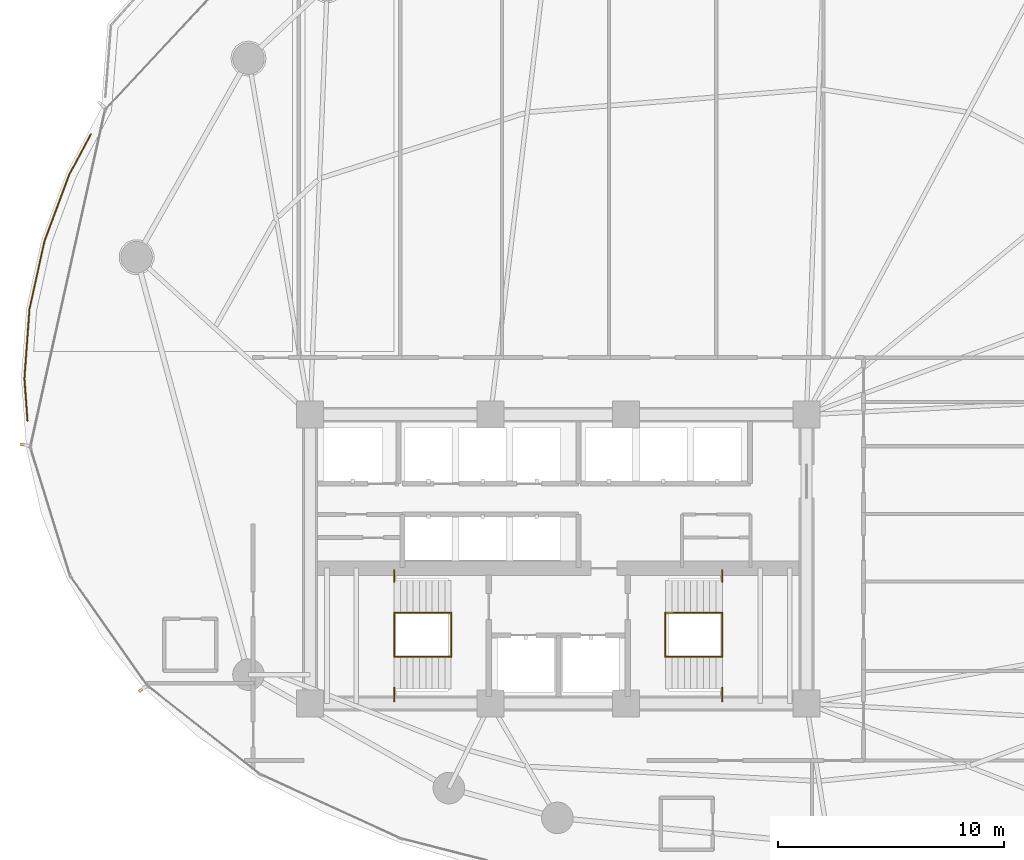
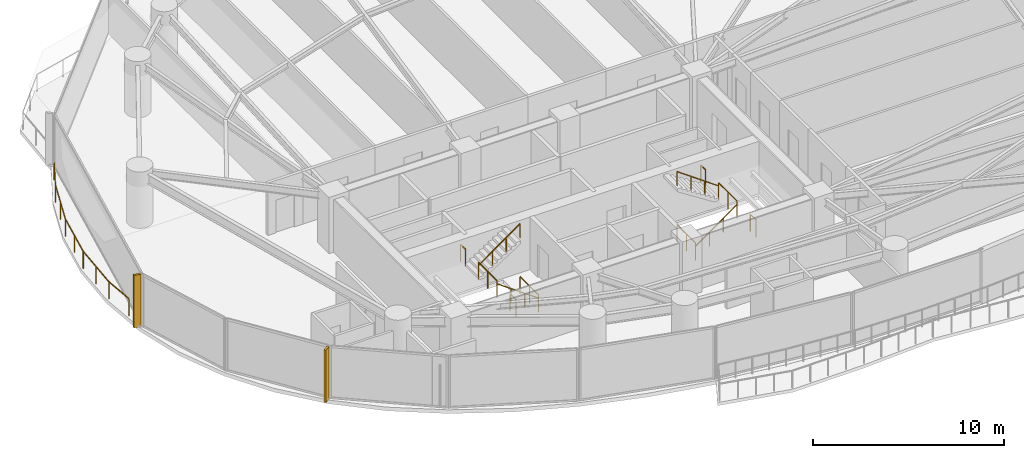
# One storey, part 30 of 33: 13 railings, 2 shading devices.
"""IFC4 building model written with IfcOpenShell, lengths in metres."""

from ifc_helpers import new_model, si_unit, direction, frame, origin, origin_2d, place, context, subcontext, project, spatial, rectangle, extrude, material, type_object, element, save


model = new_model("IFC4")

# Units and contexts
model_context = context("Model", 3, precision=1e-05, world=origin(), true_north=direction((0.0, 1.0)))
body_context = subcontext(model_context, "Body", "Model", "MODEL_VIEW")
ifc_project = project(units=[si_unit("LENGTHUNIT", "METRE"), si_unit("AREAUNIT", "SQUARE_METRE"), si_unit("VOLUMEUNIT", "CUBIC_METRE"), si_unit("PLANEANGLEUNIT", "RADIAN"), si_unit("MASSUNIT", "GRAM", prefix="KILO")], contexts=[model_context])

# Site, building, storey
site_placement = place(None, origin())
site = spatial("IfcSite", under=ifc_project, at=site_placement, CompositionType="ELEMENT")
building_placement = place(site_placement, origin())
building = spatial("IfcBuilding", under=site, at=building_placement, Name="Kazevale Care Tower and Concert Hall", CompositionType="ELEMENT")
storey_placement = place(building_placement, frame((0.0, 0.0, 45.60009765625)))
storey = spatial("IfcBuildingStorey", under=building, at=storey_placement, Name="L11", CompositionType="ELEMENT", Elevation=45.60009765625)

# Railings
ifc_material_1 = material(Name="Anodised Bronze Aluminium and Laminated Glass", Category="aluminium")
railing_type_1 = type_object("IfcRailingType", Name="Balcony and Terrace Balustrade 1120", PredefinedType="BALUSTRADE", material=ifc_material_1)
railing_1_placement = place(storey_placement, frame((9.47705078125, 36.139892578125, 0.0)))
element("IfcRailing", 1, at=railing_1_placement, inside=storey, type_object=railing_type_1, Name="rail:L11:perim:1", PredefinedType="BALUSTRADE", context=body_context, shape_type="SweptSolid", body=[
    extrude(rectangle(XDim=0.048095703125, YDim=0.048095703125, at=origin_2d()), frame((0.0, 0.0, 1.09619140625), z_axis=(-0.073432916276, 0.997300158832, 0.0), x_axis=(-0.997300158832, -0.073432916276, 0.0)), (0.0, 0.0, 1.0), 1.865234375),
    extrude(rectangle(XDim=0.048095703125, YDim=0.048095703125, at=origin_2d()), frame((-0.136962890625, 1.860107421875, 1.09619140625), z_axis=(0.072729345696, 0.997351714429, 0.0), x_axis=(-0.997351714429, 0.072729345696, 0.0)), (0.0, 0.0, 1.0), 3.078125),
    extrude(rectangle(XDim=0.048095703125, YDim=0.048095703125, at=origin_2d()), frame((0.0869140625, 4.93017578125, 1.09619140625), z_axis=(0.215148295556, 0.976581389808, 0.0), x_axis=(-0.976581389808, 0.215148295556, 0.0)), (0.0, 0.0, 1.0), 3.104736328125),
    extrude(rectangle(XDim=0.048095703125, YDim=0.048095703125, at=origin_2d()), frame((0.7548828125, 7.962158203125, 1.09619140625), z_axis=(0.350139798457, 0.936697454644, 0.0), x_axis=(-0.936697454644, 0.350139798457, 0.0)), (0.0, 0.0, 1.0), 3.15576171875),
    extrude(rectangle(XDim=0.048095703125, YDim=0.048095703125, at=origin_2d()), frame((1.85986328125, 10.918212890625, 1.09619140625), z_axis=(0.473074439741, 0.881022459682, 0.0), x_axis=(-0.881022459682, 0.473074439741, 0.0)), (0.0, 0.0, 1.0), 2.016845703125),
    extrude(rectangle(XDim=0.0419921875, YDim=0.0419921875, at=origin_2d()), origin(), (0.0, 0.0, 1.0), 1.072021484375),
    extrude(rectangle(XDim=0.0419921875, YDim=0.0419921875, at=origin_2d()), frame((-0.136962890625, 1.860107421875, 0.0)), (0.0, 0.0, 1.0), 1.072021484375),
    extrude(rectangle(XDim=0.0419921875, YDim=0.0419921875, at=origin_2d()), frame((-0.02490234375, 3.39501953125, 0.0)), (0.0, 0.0, 1.0), 1.072021484375),
    extrude(rectangle(XDim=0.0419921875, YDim=0.0419921875, at=origin_2d()), frame((0.0869140625, 4.93017578125, 0.0)), (0.0, 0.0, 1.0), 1.072021484375),
    extrude(rectangle(XDim=0.0419921875, YDim=0.0419921875, at=origin_2d()), frame((0.4208984375, 6.4462890625, 0.0)), (0.0, 0.0, 1.0), 1.072021484375),
    extrude(rectangle(XDim=0.0419921875, YDim=0.0419921875, at=origin_2d()), frame((0.7548828125, 7.962158203125, 0.0)), (0.0, 0.0, 1.0), 1.072021484375),
    extrude(rectangle(XDim=0.0419921875, YDim=0.0419921875, at=origin_2d()), frame((1.307373046875, 9.440185546875, 0.0)), (0.0, 0.0, 1.0), 1.072021484375),
    extrude(rectangle(XDim=0.0419921875, YDim=0.0419921875, at=origin_2d()), frame((1.85986328125, 10.918212890625, 0.0)), (0.0, 0.0, 1.0), 1.072021484375),
    extrude(rectangle(XDim=0.0419921875, YDim=0.0419921875, at=origin_2d()), frame((2.81396484375, 12.695068359375, 0.0)), (0.0, 0.0, 1.0), 1.072021484375),
])
ifc_material_2 = material(Name="Stainless Steel 316", Category="steel")
railing_type_2 = type_object("IfcRailingType", Name="Stair Pitch Handrail 920", PredefinedType="HANDRAIL", material=ifc_material_2)
railing_2_placement = place(storey_placement, frame((28.25, 25.679931640625, 0.0)))
element("IfcRailing", 2, at=railing_2_placement, inside=storey, type_object=railing_type_2, Name="stair:L11:ST1:hr1", PredefinedType="HANDRAIL", context=body_context, shape_type="SweptSolid", body=[
    extrude(rectangle(XDim=0.048095703125, YDim=0.048095703125, at=origin_2d()), frame((0.0, 0.0, 0.89599609375), z_axis=(-0.813765431312, 0.0, 0.581193446971), x_axis=(0.0, -1.0, 0.0)), (0.0, 0.0, 1.0), 3.0966796875),
    extrude(rectangle(XDim=0.0419921875, YDim=0.0419921875, at=origin_2d()), origin(), (0.0, 0.0, 1.0), 0.871826171875),
    extrude(rectangle(XDim=0.0419921875, YDim=0.0419921875, at=origin_2d()), frame((-0.840087890625, 0.0, 0.599853515625)), (0.0, 0.0, 1.0), 0.871826171875),
    extrude(rectangle(XDim=0.0419921875, YDim=0.0419921875, at=origin_2d()), frame((-1.679931640625, 0.0, 1.199951171875)), (0.0, 0.0, 1.0), 0.871826171875),
    extrude(rectangle(XDim=0.0419921875, YDim=0.0419921875, at=origin_2d()), frame((-2.52001953125, 0.0, 1.7998046875)), (0.0, 0.0, 1.0), 0.871826171875),
])
railing_3_placement = place(storey_placement, frame((25.72998046875, 27.6201171875, 1.7998046875)))
element("IfcRailing", 3, at=railing_3_placement, inside=storey, type_object=railing_type_2, Name="stair:L11:ST1:hr2", PredefinedType="HANDRAIL", context=body_context, shape_type="SweptSolid", body=[
    extrude(rectangle(XDim=0.048095703125, YDim=0.048095703125, at=origin_2d()), frame((0.0, 0.0, 0.89599609375), z_axis=(0.813728144527, 0.0, 0.581245650998), x_axis=(0.0, 1.0, 0.0)), (0.0, 0.0, 1.0), 3.096923828125),
    extrude(rectangle(XDim=0.0419921875, YDim=0.0419921875, at=origin_2d()), origin(), (0.0, 0.0, 1.0), 0.871826171875),
    extrude(rectangle(XDim=0.0419921875, YDim=0.0419921875, at=origin_2d()), frame((0.840087890625, 0.0, 0.60009765625)), (0.0, 0.0, 1.0), 0.871826171875),
    extrude(rectangle(XDim=0.0419921875, YDim=0.0419921875, at=origin_2d()), frame((1.679931640625, 0.0, 1.199951171875)), (0.0, 0.0, 1.0), 0.871826171875),
    extrude(rectangle(XDim=0.0419921875, YDim=0.0419921875, at=origin_2d()), frame((2.52001953125, 0.0, 1.800048828125)), (0.0, 0.0, 1.0), 0.871826171875),
])
railing_4_placement = place(storey_placement, frame((37.75, 25.679931640625, 0.0)))
element("IfcRailing", 4, at=railing_4_placement, inside=storey, type_object=railing_type_2, Name="stair:L11:ST2:hr1", PredefinedType="HANDRAIL", context=body_context, shape_type="SweptSolid", body=[
    extrude(rectangle(XDim=0.048095703125, YDim=0.048095703125, at=origin_2d()), frame((0.0, 0.0, 0.89599609375), z_axis=(0.813765431312, 0.0, 0.581193446971), x_axis=(0.0, 1.0, 0.0)), (0.0, 0.0, 1.0), 3.0966796875),
    extrude(rectangle(XDim=0.0419921875, YDim=0.0419921875, at=origin_2d()), origin(), (0.0, 0.0, 1.0), 0.871826171875),
    extrude(rectangle(XDim=0.0419921875, YDim=0.0419921875, at=origin_2d()), frame((0.840087890625, 0.0, 0.599853515625)), (0.0, 0.0, 1.0), 0.871826171875),
    extrude(rectangle(XDim=0.0419921875, YDim=0.0419921875, at=origin_2d()), frame((1.679931640625, 0.0, 1.199951171875)), (0.0, 0.0, 1.0), 0.871826171875),
    extrude(rectangle(XDim=0.0419921875, YDim=0.0419921875, at=origin_2d()), frame((2.52001953125, 0.0, 1.7998046875)), (0.0, 0.0, 1.0), 0.871826171875),
])
railing_5_placement = place(storey_placement, frame((40.27001953125, 27.6201171875, 1.7998046875)))
element("IfcRailing", 5, at=railing_5_placement, inside=storey, type_object=railing_type_2, Name="stair:L11:ST2:hr2", PredefinedType="HANDRAIL", context=body_context, shape_type="SweptSolid", body=[
    extrude(rectangle(XDim=0.048095703125, YDim=0.048095703125, at=origin_2d()), frame((0.0, 0.0, 0.89599609375), z_axis=(-0.813728144527, 0.0, 0.581245650998), x_axis=(0.0, -1.0, 0.0)), (0.0, 0.0, 1.0), 3.096923828125),
    extrude(rectangle(XDim=0.0419921875, YDim=0.0419921875, at=origin_2d()), origin(), (0.0, 0.0, 1.0), 0.871826171875),
    extrude(rectangle(XDim=0.0419921875, YDim=0.0419921875, at=origin_2d()), frame((-0.840087890625, 0.0, 0.60009765625)), (0.0, 0.0, 1.0), 0.871826171875),
    extrude(rectangle(XDim=0.0419921875, YDim=0.0419921875, at=origin_2d()), frame((-1.679931640625, 0.0, 1.199951171875)), (0.0, 0.0, 1.0), 0.871826171875),
    extrude(rectangle(XDim=0.0419921875, YDim=0.0419921875, at=origin_2d()), frame((-2.52001953125, 0.0, 1.800048828125)), (0.0, 0.0, 1.0), 0.871826171875),
])
railing_type_3 = type_object("IfcRailingType", Name="Stair Well Guard Balustrade 1120", PredefinedType="BALUSTRADE", material=ifc_material_2)
railing_6_placement = place(storey_placement, frame((25.72998046875, 23.699951171875, 1.7998046875)))
element("IfcRailing", 6, at=railing_6_placement, inside=storey, type_object=railing_type_3, Name="stair:L11:ST1:grd_side1", PredefinedType="BALUSTRADE", context=body_context, shape_type="SweptSolid", body=[
    extrude(rectangle(XDim=0.048095703125, YDim=0.048095703125, at=origin_2d()), frame((0.0, 0.0, 1.09619140625), z_axis=(0.0, 1.0, 0.0), x_axis=(-1.0, 0.0, 0.0)), (0.0, 0.0, 1.0), 0.610107421875),
    extrude(rectangle(XDim=0.0419921875, YDim=0.0419921875, at=origin_2d()), origin(), (0.0, 0.0, 1.0), 1.072021484375),
    extrude(rectangle(XDim=0.0419921875, YDim=0.0419921875, at=origin_2d()), frame((0.0, 0.610107421875, 0.0)), (0.0, 0.0, 1.0), 1.072021484375),
])
railing_7_placement = place(storey_placement, frame((25.72998046875, 28.989990234375, 1.7998046875)))
element("IfcRailing", 7, at=railing_7_placement, inside=storey, type_object=railing_type_3, Name="stair:L11:ST1:grd_side2", PredefinedType="BALUSTRADE", context=body_context, shape_type="SweptSolid", body=[
    extrude(rectangle(XDim=0.048095703125, YDim=0.048095703125, at=origin_2d()), frame((0.0, 0.0, 1.09619140625), z_axis=(0.0, 1.0, 0.0), x_axis=(-1.0, 0.0, 0.0)), (0.0, 0.0, 1.0), 0.510009765625),
    extrude(rectangle(XDim=0.0419921875, YDim=0.0419921875, at=origin_2d()), origin(), (0.0, 0.0, 1.0), 1.072021484375),
    extrude(rectangle(XDim=0.0419921875, YDim=0.0419921875, at=origin_2d()), frame((0.0, 0.510009765625, 0.0)), (0.0, 0.0, 1.0), 1.072021484375),
])
for number, where, name in (
    (8, (25.72998046875, 25.679931640625, 1.7998046875), "stair:L11:ST1:grd_mid"),
    (9, (28.25, 25.679931640625, 0.0), "stair:L11:ST1:grd_flr"),
):
    element("IfcRailing", number, at=place(storey_placement, frame(where)), inside=storey, type_object=railing_type_3, Name=name, PredefinedType="BALUSTRADE", context=body_context, shape_type="SweptSolid", body=[
        extrude(rectangle(XDim=0.048095703125, YDim=0.048095703125, at=origin_2d()), frame((0.0, 0.0, 1.09619140625), z_axis=(0.0, 1.0, 0.0), x_axis=(-1.0, 0.0, 0.0)), (0.0, 0.0, 1.0), 1.940185546875),
        extrude(rectangle(XDim=0.0419921875, YDim=0.0419921875, at=origin_2d()), origin(), (0.0, 0.0, 1.0), 1.072021484375),
        extrude(rectangle(XDim=0.0419921875, YDim=0.0419921875, at=origin_2d()), frame((0.0, 0.97021484375, 0.0)), (0.0, 0.0, 1.0), 1.072021484375),
        extrude(rectangle(XDim=0.0419921875, YDim=0.0419921875, at=origin_2d()), frame((0.0, 1.940185546875, 0.0)), (0.0, 0.0, 1.0), 1.072021484375),
    ])
railing_8_placement = place(storey_placement, frame((40.27001953125, 23.699951171875, 1.7998046875)))
element("IfcRailing", 10, at=railing_8_placement, inside=storey, type_object=railing_type_3, Name="stair:L11:ST2:grd_side1", PredefinedType="BALUSTRADE", context=body_context, shape_type="SweptSolid", body=[
    extrude(rectangle(XDim=0.048095703125, YDim=0.048095703125, at=origin_2d()), frame((0.0, 0.0, 1.09619140625), z_axis=(0.0, 1.0, 0.0), x_axis=(-1.0, 0.0, 0.0)), (0.0, 0.0, 1.0), 0.610107421875),
    extrude(rectangle(XDim=0.0419921875, YDim=0.0419921875, at=origin_2d()), origin(), (0.0, 0.0, 1.0), 1.072021484375),
    extrude(rectangle(XDim=0.0419921875, YDim=0.0419921875, at=origin_2d()), frame((0.0, 0.610107421875, 0.0)), (0.0, 0.0, 1.0), 1.072021484375),
])
railing_9_placement = place(storey_placement, frame((40.27001953125, 28.989990234375, 1.7998046875)))
element("IfcRailing", 11, at=railing_9_placement, inside=storey, type_object=railing_type_3, Name="stair:L11:ST2:grd_side2", PredefinedType="BALUSTRADE", context=body_context, shape_type="SweptSolid", body=[
    extrude(rectangle(XDim=0.048095703125, YDim=0.048095703125, at=origin_2d()), frame((0.0, 0.0, 1.09619140625), z_axis=(0.0, 1.0, 0.0), x_axis=(-1.0, 0.0, 0.0)), (0.0, 0.0, 1.0), 0.510009765625),
    extrude(rectangle(XDim=0.0419921875, YDim=0.0419921875, at=origin_2d()), origin(), (0.0, 0.0, 1.0), 1.072021484375),
    extrude(rectangle(XDim=0.0419921875, YDim=0.0419921875, at=origin_2d()), frame((0.0, 0.510009765625, 0.0)), (0.0, 0.0, 1.0), 1.072021484375),
])
for number, where, name in (
    (12, (40.27001953125, 25.679931640625, 1.7998046875), "stair:L11:ST2:grd_mid"),
    (13, (37.75, 25.679931640625, 0.0), "stair:L11:ST2:grd_flr"),
):
    element("IfcRailing", number, at=place(storey_placement, frame(where)), inside=storey, type_object=railing_type_3, Name=name, PredefinedType="BALUSTRADE", context=body_context, shape_type="SweptSolid", body=[
        extrude(rectangle(XDim=0.048095703125, YDim=0.048095703125, at=origin_2d()), frame((0.0, 0.0, 1.09619140625), z_axis=(0.0, 1.0, 0.0), x_axis=(-1.0, 0.0, 0.0)), (0.0, 0.0, 1.0), 1.940185546875),
        extrude(rectangle(XDim=0.0419921875, YDim=0.0419921875, at=origin_2d()), origin(), (0.0, 0.0, 1.0), 1.072021484375),
        extrude(rectangle(XDim=0.0419921875, YDim=0.0419921875, at=origin_2d()), frame((0.0, 0.97021484375, 0.0)), (0.0, 0.0, 1.0), 1.072021484375),
        extrude(rectangle(XDim=0.0419921875, YDim=0.0419921875, at=origin_2d()), frame((0.0, 1.940185546875, 0.0)), (0.0, 0.0, 1.0), 1.072021484375),
    ])

# Shading devices
ifc_material_3 = material(Name="Honed Ochre Limestone", Category="masonry")
shading_device_type = type_object("IfcShadingDeviceType", Name="Vertical Honed Limestone Fin FIN-01", PredefinedType="USERDEFINED", material=ifc_material_3)
for number, where, z_axis, x_axis, name in (
    (14, (14.5693359375, 24.23779296875, 0.0), (0.0, 0.0, 1.0), (-0.817547124842, -0.575861700985, 0.0), "cw:L11:f11:fin"),
    (15, (9.34326171875, 35.056884765625, 0.0), (0.0, 0.0, 1.0), (-0.97629600712, 0.216439613938, 0.0), "cw:L11:f13:fin"),
):
    element("IfcShadingDevice", number, at=place(storey_placement, frame(where, z_axis=z_axis, x_axis=x_axis)), inside=storey, type_object=shading_device_type, Name=name, ObjectType="FIN", PredefinedType="USERDEFINED", context=body_context, shape_type="SweptSolid", body=[
        extrude(rectangle(XDim=0.3798828125, YDim=0.1201171875, at=origin_2d()), origin(), (0.0, 0.0, 1.0), 3.360107421875),
    ])

save(model, "model.ifc")
